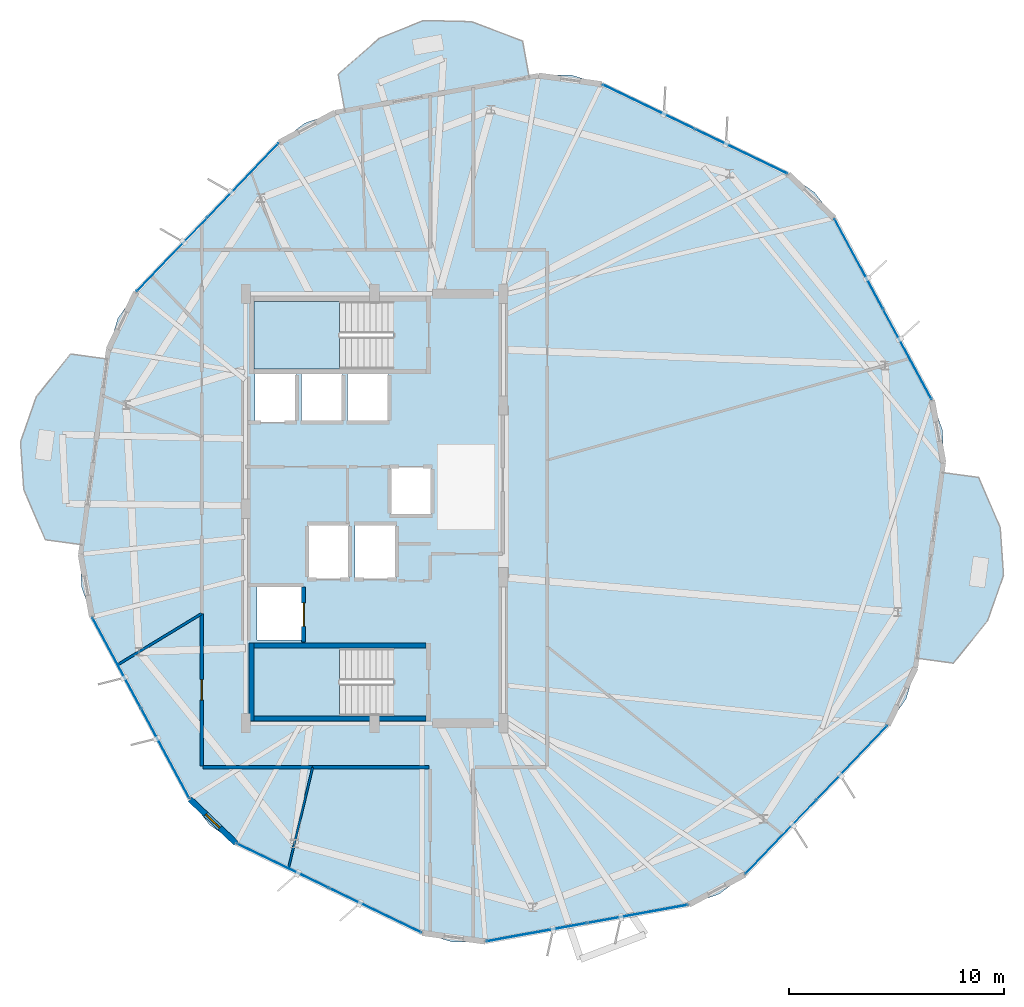
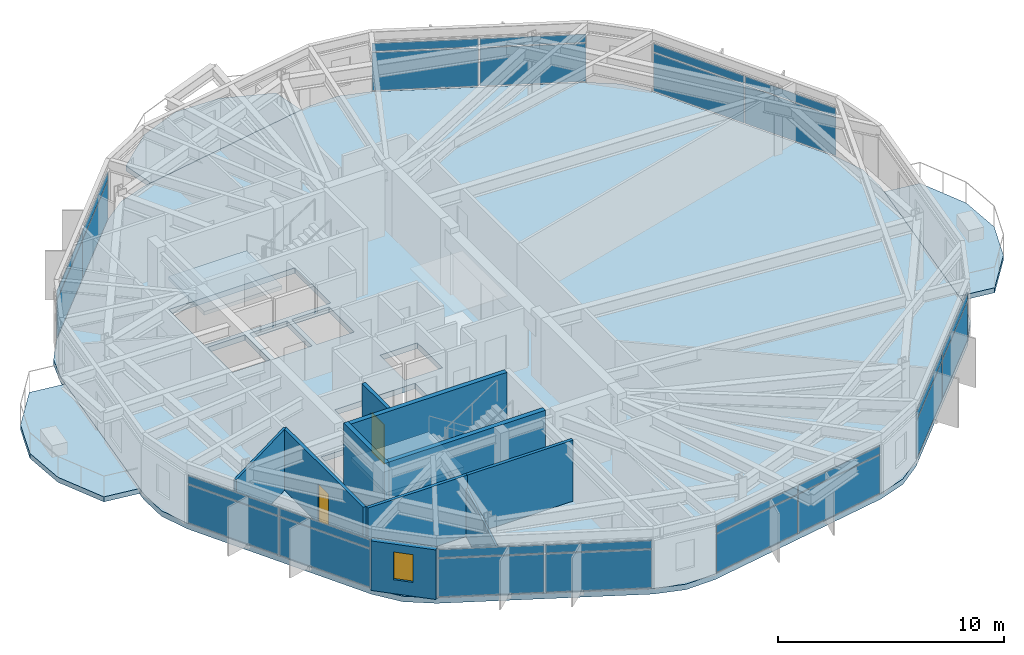
# One storey, part 21 of 27: 28 plates, 10 walls, 6 slabs, 2 doors, 1 window, 3 openings, 9 elements without a shape of their own.
"""IFC4 building model written with IfcOpenShell, lengths in metres."""

from ifc_helpers import new_model, si_unit, direction, frame, frame_2d, origin, origin_2d, place, context, subcontext, project, spatial, polyline, rectangle, outline, extrude, material, layer, layer_set, type_object, element, fill, aggregate, save


model = new_model("IFC4")

# Units and contexts
model_context = context("Model", 3, precision=1e-05, world=origin(), true_north=direction((0.0, 1.0)))
body_context = subcontext(model_context, "Body", "Model", "MODEL_VIEW")
ifc_project = project(units=[si_unit("LENGTHUNIT", "METRE"), si_unit("AREAUNIT", "SQUARE_METRE"), si_unit("VOLUMEUNIT", "CUBIC_METRE"), si_unit("PLANEANGLEUNIT", "RADIAN"), si_unit("MASSUNIT", "GRAM", prefix="KILO")], contexts=[model_context])

# Site, building, storey
site_placement = place(None, origin())
site = spatial("IfcSite", under=ifc_project, at=site_placement, CompositionType="ELEMENT")
building_placement = place(site_placement, origin())
building = spatial("IfcBuilding", under=site, at=building_placement, Name="Soratama Intermodal Tower", CompositionType="ELEMENT")
storey_placement = place(building_placement, frame((0.0, 0.0, 208.60009765625)))
storey = spatial("IfcBuildingStorey", under=building, at=storey_placement, Name="L52", CompositionType="ELEMENT", Elevation=208.60009765625)

# Curtain wall, plates
ifc_material_1 = material(Name="Double-glazed aluminium curtain wall", Category="aluminium")
ifc_layer_1 = layer(ifc_material_1, 0.159912109375)
ifc_layer_set_1 = layer_set([ifc_layer_1], Name="Double-glazed aluminium curtain wall")
curtain_wall_type = type_object("IfcCurtainWallType", Name="CW-SYS-5", PredefinedType="NOTDEFINED", material=ifc_layer_set_1)
curtain_wall_1_placement = place(storey_placement, origin())
curtain_wall_1 = element("IfcCurtainWall", 1, at=curtain_wall_1_placement, inside=storey, type_object=curtain_wall_type, Name="L52 Faceted Curtain Wall F01", PredefinedType="NOTDEFINED")
ifc_material_2 = material(Name="Low-E laminated double glazing", Category="glass")
ifc_layer_2 = layer(ifc_material_2, 0.02001953125)
ifc_layer_set_2 = layer_set([ifc_layer_2], Name="Low-E laminated double glazing")
plate_type = type_object("IfcPlateType", Name="PT-CWP-5", PredefinedType="CURTAIN_PANEL", material=ifc_layer_set_2)
plate_1_placement = place(storey_placement, frame((55.670166015625, 41.625732421875, 0.059814453125), z_axis=(0.0, 0.0, 1.0), x_axis=(-0.900774560798, 0.434286991077, 0.0)))
plate_1 = element("IfcPlate", 2, at=plate_1_placement, type_object=plate_type, Name="CW-5 panel 1.1", PredefinedType="CURTAIN_PANEL", context=body_context, shape_type="SweptSolid", body=[
    extrude(rectangle(XDim=4.721923828125, YDim=0.028076171875, at=origin_2d()), origin(), (0.0, 0.0, 1.0), 2.06005859375),
])
plate_2_placement = place(storey_placement, frame((55.670166015625, 41.625732421875, 2.179931640625), z_axis=(0.0, 0.0, 1.0), x_axis=(-0.900774560798, 0.434286991077, 0.0)))
plate_2 = element("IfcPlate", 3, at=plate_2_placement, type_object=plate_type, Name="CW-5 panel 1.2", PredefinedType="CURTAIN_PANEL", context=body_context, shape_type="SweptSolid", body=[
    extrude(rectangle(XDim=4.721923828125, YDim=0.028076171875, at=origin_2d()), origin(), (0.0, 0.0, 1.0), 0.43896484375),
])
plate_3_placement = place(storey_placement, frame((51.362548828125, 43.702392578125, 0.059814453125), z_axis=(0.0, 0.0, 1.0), x_axis=(-0.900774560798, 0.434286991077, 0.0)))
plate_3 = element("IfcPlate", 4, at=plate_3_placement, type_object=plate_type, Name="CW-5 panel 2.1", PredefinedType="CURTAIN_PANEL", context=body_context, shape_type="SweptSolid", body=[
    extrude(rectangle(XDim=4.721923828125, YDim=0.028076171875, at=origin_2d()), origin(), (0.0, 0.0, 1.0), 2.06005859375),
])
plate_4_placement = place(storey_placement, frame((51.362548828125, 43.702392578125, 2.179931640625), z_axis=(0.0, 0.0, 1.0), x_axis=(-0.900774560798, 0.434286991077, 0.0)))
plate_4 = element("IfcPlate", 5, at=plate_4_placement, type_object=plate_type, Name="CW-5 panel 2.2", PredefinedType="CURTAIN_PANEL", context=body_context, shape_type="SweptSolid", body=[
    extrude(rectangle(XDim=4.721923828125, YDim=0.028076171875, at=origin_2d()), origin(), (0.0, 0.0, 1.0), 0.43896484375),
])
aggregate(curtain_wall_1, [plate_1, plate_2, plate_3, plate_4])

curtain_wall_2_placement = place(storey_placement, origin())
curtain_wall_2 = element("IfcCurtainWall", 6, at=curtain_wall_2_placement, inside=storey, type_object=curtain_wall_type, Name="L52 Faceted Curtain Wall F03", PredefinedType="NOTDEFINED")
plate_5_placement = place(storey_placement, frame((32.485107421875, 40.28564453125, 0.059814453125), z_axis=(0.0, 0.0, 1.0), x_axis=(-0.691386353549, -0.72248523177, 0.0)))
plate_5 = element("IfcPlate", 7, at=plate_5_placement, type_object=plate_type, Name="CW-5 panel 1.1", PredefinedType="CURTAIN_PANEL", context=body_context, shape_type="SweptSolid", body=[
    extrude(rectangle(XDim=4.72216796875, YDim=0.028076171875, at=origin_2d()), origin(), (0.0, 0.0, 1.0), 2.06005859375),
])
plate_6_placement = place(storey_placement, frame((32.485107421875, 40.28564453125, 2.179931640625), z_axis=(0.0, 0.0, 1.0), x_axis=(-0.691386353549, -0.72248523177, 0.0)))
plate_6 = element("IfcPlate", 8, at=plate_6_placement, type_object=plate_type, Name="CW-5 panel 1.2", PredefinedType="CURTAIN_PANEL", context=body_context, shape_type="SweptSolid", body=[
    extrude(rectangle(XDim=4.72216796875, YDim=0.028076171875, at=origin_2d()), origin(), (0.0, 0.0, 1.0), 0.43896484375),
])
plate_7_placement = place(storey_placement, frame((29.178955078125, 36.83056640625, 0.059814453125), z_axis=(0.0, 0.0, 1.0), x_axis=(-0.691386353549, -0.72248523177, 0.0)))
plate_7 = element("IfcPlate", 9, at=plate_7_placement, type_object=plate_type, Name="CW-5 panel 2.1", PredefinedType="CURTAIN_PANEL", context=body_context, shape_type="SweptSolid", body=[
    extrude(rectangle(XDim=4.72216796875, YDim=0.028076171875, at=origin_2d()), origin(), (0.0, 0.0, 1.0), 2.06005859375),
])
plate_8_placement = place(storey_placement, frame((29.178955078125, 36.83056640625, 2.179931640625), z_axis=(0.0, 0.0, 1.0), x_axis=(-0.691386353549, -0.72248523177, 0.0)))
plate_8 = element("IfcPlate", 10, at=plate_8_placement, type_object=plate_type, Name="CW-5 panel 2.2", PredefinedType="CURTAIN_PANEL", context=body_context, shape_type="SweptSolid", body=[
    extrude(rectangle(XDim=4.72216796875, YDim=0.028076171875, at=origin_2d()), origin(), (0.0, 0.0, 1.0), 0.43896484375),
])
aggregate(curtain_wall_2, [plate_5, plate_6, plate_7, plate_8])

curtain_wall_3_placement = place(storey_placement, origin())
curtain_wall_3 = element("IfcCurtainWall", 11, at=curtain_wall_3_placement, inside=storey, type_object=curtain_wall_type, Name="L52 Faceted Curtain Wall F05", PredefinedType="NOTDEFINED")
plate_9_placement = place(storey_placement, frame((26.59521484375, 17.8212890625, 0.059814453125), z_axis=(0.0, 0.0, 1.0), x_axis=(0.473476366833, -0.880806522484, 0.0)))
plate_9 = element("IfcPlate", 12, at=plate_9_placement, type_object=plate_type, Name="CW-5 panel 1.1", PredefinedType="CURTAIN_PANEL", context=body_context, shape_type="SweptSolid", body=[
    extrude(rectangle(XDim=4.72216796875, YDim=0.028076171875, at=origin_2d()), origin(), (0.0, 0.0, 1.0), 2.06005859375),
])
plate_10_placement = place(storey_placement, frame((26.59521484375, 17.8212890625, 2.179931640625), z_axis=(0.0, 0.0, 1.0), x_axis=(0.473476366833, -0.880806522484, 0.0)))
plate_10 = element("IfcPlate", 13, at=plate_10_placement, type_object=plate_type, Name="CW-5 panel 1.2", PredefinedType="CURTAIN_PANEL", context=body_context, shape_type="SweptSolid", body=[
    extrude(rectangle(XDim=4.72216796875, YDim=0.028076171875, at=origin_2d()), origin(), (0.0, 0.0, 1.0), 0.43896484375),
])
plate_11_placement = place(storey_placement, frame((28.859619140625, 13.609130859375, 0.059814453125), z_axis=(0.0, 0.0, 1.0), x_axis=(0.473476366833, -0.880806522484, 0.0)))
plate_11 = element("IfcPlate", 14, at=plate_11_placement, type_object=plate_type, Name="CW-5 panel 2.1", PredefinedType="CURTAIN_PANEL", context=body_context, shape_type="SweptSolid", body=[
    extrude(rectangle(XDim=4.72216796875, YDim=0.028076171875, at=origin_2d()), origin(), (0.0, 0.0, 1.0), 2.06005859375),
])
plate_12_placement = place(storey_placement, frame((28.859619140625, 13.609130859375, 2.179931640625), z_axis=(0.0, 0.0, 1.0), x_axis=(0.473476366833, -0.880806522484, 0.0)))
plate_12 = element("IfcPlate", 15, at=plate_12_placement, type_object=plate_type, Name="CW-5 panel 2.2", PredefinedType="CURTAIN_PANEL", context=body_context, shape_type="SweptSolid", body=[
    extrude(rectangle(XDim=4.72216796875, YDim=0.028076171875, at=origin_2d()), origin(), (0.0, 0.0, 1.0), 0.43896484375),
])
aggregate(curtain_wall_3, [plate_9, plate_10, plate_11, plate_12])

curtain_wall_4_placement = place(storey_placement, origin())
curtain_wall_4 = element("IfcCurtainWall", 16, at=curtain_wall_4_placement, inside=storey, type_object=curtain_wall_type, Name="L52 Faceted Curtain Wall F06", PredefinedType="NOTDEFINED")
plate_13_placement = place(storey_placement, frame((34.329833984375, 8.374267578125, 0.059814453125), z_axis=(0.0, 0.0, 1.0), x_axis=(0.900774560798, -0.434286991077, 0.0)))
plate_13 = element("IfcPlate", 17, at=plate_13_placement, type_object=plate_type, Name="CW-5 panel 1.1", PredefinedType="CURTAIN_PANEL", context=body_context, shape_type="SweptSolid", body=[
    extrude(rectangle(XDim=4.721923828125, YDim=0.028076171875, at=origin_2d()), origin(), (0.0, 0.0, 1.0), 2.06005859375),
])
plate_14_placement = place(storey_placement, frame((34.329833984375, 8.374267578125, 2.179931640625), z_axis=(0.0, 0.0, 1.0), x_axis=(0.900774560798, -0.434286991077, 0.0)))
plate_14 = element("IfcPlate", 18, at=plate_14_placement, type_object=plate_type, Name="CW-5 panel 1.2", PredefinedType="CURTAIN_PANEL", context=body_context, shape_type="SweptSolid", body=[
    extrude(rectangle(XDim=4.721923828125, YDim=0.028076171875, at=origin_2d()), origin(), (0.0, 0.0, 1.0), 0.43896484375),
])
plate_15_placement = place(storey_placement, frame((38.637451171875, 6.297607421875, 0.059814453125), z_axis=(0.0, 0.0, 1.0), x_axis=(0.900774560798, -0.434286991077, 0.0)))
plate_15 = element("IfcPlate", 19, at=plate_15_placement, type_object=plate_type, Name="CW-5 panel 2.1", PredefinedType="CURTAIN_PANEL", context=body_context, shape_type="SweptSolid", body=[
    extrude(rectangle(XDim=4.721923828125, YDim=0.028076171875, at=origin_2d()), origin(), (0.0, 0.0, 1.0), 2.06005859375),
])
plate_16_placement = place(storey_placement, frame((38.637451171875, 6.297607421875, 2.179931640625), z_axis=(0.0, 0.0, 1.0), x_axis=(0.900774560798, -0.434286991077, 0.0)))
plate_16 = element("IfcPlate", 20, at=plate_16_placement, type_object=plate_type, Name="CW-5 panel 2.2", PredefinedType="CURTAIN_PANEL", context=body_context, shape_type="SweptSolid", body=[
    extrude(rectangle(XDim=4.721923828125, YDim=0.028076171875, at=origin_2d()), origin(), (0.0, 0.0, 1.0), 0.43896484375),
])
aggregate(curtain_wall_4, [plate_13, plate_14, plate_15, plate_16])

curtain_wall_5_placement = place(storey_placement, origin())
curtain_wall_5 = element("IfcCurtainWall", 21, at=curtain_wall_5_placement, inside=storey, type_object=curtain_wall_type, Name="L52 Faceted Curtain Wall F07", PredefinedType="NOTDEFINED")
plate_17_placement = place(storey_placement, frame((46.139892578125, 5.27783203125, 0.059814453125), z_axis=(0.0, 0.0, 1.0), x_axis=(0.984009590887, 0.178115482323, 0.0)))
plate_17 = element("IfcPlate", 22, at=plate_17_placement, type_object=plate_type, Name="CW-5 panel 1.1", PredefinedType="CURTAIN_PANEL", context=body_context, shape_type="SweptSolid", body=[
    extrude(rectangle(XDim=4.72216796875, YDim=0.028076171875, at=origin_2d()), origin(), (0.0, 0.0, 1.0), 2.06005859375),
])
plate_18_placement = place(storey_placement, frame((46.139892578125, 5.27783203125, 2.179931640625), z_axis=(0.0, 0.0, 1.0), x_axis=(0.984009590887, 0.178115482323, 0.0)))
plate_18 = element("IfcPlate", 23, at=plate_18_placement, type_object=plate_type, Name="CW-5 panel 1.2", PredefinedType="CURTAIN_PANEL", context=body_context, shape_type="SweptSolid", body=[
    extrude(rectangle(XDim=4.72216796875, YDim=0.028076171875, at=origin_2d()), origin(), (0.0, 0.0, 1.0), 0.43896484375),
])
plate_19_placement = place(storey_placement, frame((50.845703125, 6.12939453125, 0.059814453125), z_axis=(0.0, 0.0, 1.0), x_axis=(0.984009590887, 0.178115482323, 0.0)))
plate_19 = element("IfcPlate", 24, at=plate_19_placement, type_object=plate_type, Name="CW-5 panel 2.1", PredefinedType="CURTAIN_PANEL", context=body_context, shape_type="SweptSolid", body=[
    extrude(rectangle(XDim=4.72216796875, YDim=0.028076171875, at=origin_2d()), origin(), (0.0, 0.0, 1.0), 2.06005859375),
])
plate_20_placement = place(storey_placement, frame((50.845703125, 6.12939453125, 2.179931640625), z_axis=(0.0, 0.0, 1.0), x_axis=(0.984009590887, 0.178115482323, 0.0)))
plate_20 = element("IfcPlate", 25, at=plate_20_placement, type_object=plate_type, Name="CW-5 panel 2.2", PredefinedType="CURTAIN_PANEL", context=body_context, shape_type="SweptSolid", body=[
    extrude(rectangle(XDim=4.72216796875, YDim=0.028076171875, at=origin_2d()), origin(), (0.0, 0.0, 1.0), 0.43896484375),
])
aggregate(curtain_wall_5, [plate_17, plate_18, plate_19, plate_20])

curtain_wall_6_placement = place(storey_placement, origin())
curtain_wall_6 = element("IfcCurtainWall", 26, at=curtain_wall_6_placement, inside=storey, type_object=curtain_wall_type, Name="L52 Faceted Curtain Wall F08", PredefinedType="NOTDEFINED")
plate_21_placement = place(storey_placement, frame((57.514892578125, 9.71435546875, 0.059814453125), z_axis=(0.0, 0.0, 1.0), x_axis=(0.691386353549, 0.72248523177, 0.0)))
plate_21 = element("IfcPlate", 27, at=plate_21_placement, type_object=plate_type, Name="CW-5 panel 1.1", PredefinedType="CURTAIN_PANEL", context=body_context, shape_type="SweptSolid", body=[
    extrude(rectangle(XDim=4.72216796875, YDim=0.028076171875, at=origin_2d()), origin(), (0.0, 0.0, 1.0), 2.06005859375),
])
plate_22_placement = place(storey_placement, frame((57.514892578125, 9.71435546875, 2.179931640625), z_axis=(0.0, 0.0, 1.0), x_axis=(0.691386353549, 0.72248523177, 0.0)))
plate_22 = element("IfcPlate", 28, at=plate_22_placement, type_object=plate_type, Name="CW-5 panel 1.2", PredefinedType="CURTAIN_PANEL", context=body_context, shape_type="SweptSolid", body=[
    extrude(rectangle(XDim=4.72216796875, YDim=0.028076171875, at=origin_2d()), origin(), (0.0, 0.0, 1.0), 0.43896484375),
])
plate_23_placement = place(storey_placement, frame((60.821044921875, 13.16943359375, 0.059814453125), z_axis=(0.0, 0.0, 1.0), x_axis=(0.691386353549, 0.72248523177, 0.0)))
plate_23 = element("IfcPlate", 29, at=plate_23_placement, type_object=plate_type, Name="CW-5 panel 2.1", PredefinedType="CURTAIN_PANEL", context=body_context, shape_type="SweptSolid", body=[
    extrude(rectangle(XDim=4.72216796875, YDim=0.028076171875, at=origin_2d()), origin(), (0.0, 0.0, 1.0), 2.06005859375),
])
plate_24_placement = place(storey_placement, frame((60.821044921875, 13.16943359375, 2.179931640625), z_axis=(0.0, 0.0, 1.0), x_axis=(0.691386353549, 0.72248523177, 0.0)))
plate_24 = element("IfcPlate", 30, at=plate_24_placement, type_object=plate_type, Name="CW-5 panel 2.2", PredefinedType="CURTAIN_PANEL", context=body_context, shape_type="SweptSolid", body=[
    extrude(rectangle(XDim=4.72216796875, YDim=0.028076171875, at=origin_2d()), origin(), (0.0, 0.0, 1.0), 0.43896484375),
])
aggregate(curtain_wall_6, [plate_21, plate_22, plate_23, plate_24])

curtain_wall_7_placement = place(storey_placement, origin())
curtain_wall_7 = element("IfcCurtainWall", 31, at=curtain_wall_7_placement, inside=storey, type_object=curtain_wall_type, Name="L52 Faceted Curtain Wall F10", PredefinedType="NOTDEFINED")
plate_25_placement = place(storey_placement, frame((63.40478515625, 32.1787109375, 0.059814453125), z_axis=(0.0, 0.0, 1.0), x_axis=(-0.473476366833, 0.880806522484, 0.0)))
plate_25 = element("IfcPlate", 32, at=plate_25_placement, type_object=plate_type, Name="CW-5 panel 1.1", PredefinedType="CURTAIN_PANEL", context=body_context, shape_type="SweptSolid", body=[
    extrude(rectangle(XDim=4.72216796875, YDim=0.028076171875, at=origin_2d()), origin(), (0.0, 0.0, 1.0), 2.06005859375),
])
plate_26_placement = place(storey_placement, frame((63.40478515625, 32.1787109375, 2.179931640625), z_axis=(0.0, 0.0, 1.0), x_axis=(-0.473476366833, 0.880806522484, 0.0)))
plate_26 = element("IfcPlate", 33, at=plate_26_placement, type_object=plate_type, Name="CW-5 panel 1.2", PredefinedType="CURTAIN_PANEL", context=body_context, shape_type="SweptSolid", body=[
    extrude(rectangle(XDim=4.72216796875, YDim=0.028076171875, at=origin_2d()), origin(), (0.0, 0.0, 1.0), 0.43896484375),
])
plate_27_placement = place(storey_placement, frame((61.140380859375, 36.390869140625, 0.059814453125), z_axis=(0.0, 0.0, 1.0), x_axis=(-0.473476366833, 0.880806522484, 0.0)))
plate_27 = element("IfcPlate", 34, at=plate_27_placement, type_object=plate_type, Name="CW-5 panel 2.1", PredefinedType="CURTAIN_PANEL", context=body_context, shape_type="SweptSolid", body=[
    extrude(rectangle(XDim=4.72216796875, YDim=0.028076171875, at=origin_2d()), origin(), (0.0, 0.0, 1.0), 2.06005859375),
])
plate_28_placement = place(storey_placement, frame((61.140380859375, 36.390869140625, 2.179931640625), z_axis=(0.0, 0.0, 1.0), x_axis=(-0.473476366833, 0.880806522484, 0.0)))
plate_28 = element("IfcPlate", 35, at=plate_28_placement, type_object=plate_type, Name="CW-5 panel 2.2", PredefinedType="CURTAIN_PANEL", context=body_context, shape_type="SweptSolid", body=[
    extrude(rectangle(XDim=4.72216796875, YDim=0.028076171875, at=origin_2d()), origin(), (0.0, 0.0, 1.0), 0.43896484375),
])
aggregate(curtain_wall_7, [plate_25, plate_26, plate_27, plate_28])

# Slabs
ifc_material_3 = material(Name="Concrete f'c 42 MPa", Category="concrete")
ifc_layer_3 = layer(ifc_material_3, 0.27001953125)
ifc_layer_set_3 = layer_set([ifc_layer_3], Name="Concrete f'c 42 MPa")
slab_type_1 = type_object("IfcSlabType", Name="SL-EXT-BAL1", PredefinedType="FLOOR", material=ifc_layer_set_3)
slab_1_placement = place(storey_placement, frame((0.0, 0.0, -0.27001953125)))
element("IfcSlab", 36, at=slab_1_placement, inside=storey, type_object=slab_type_1, Name="L52 Planted Balcony East 1", PredefinedType="FLOOR", context=body_context, shape_type="SweptSolid", body=[
    extrude(outline(polyline([(63.84375, 18.03662109375), (65.018798828125, 26.681396484375), (66.722900390625, 26.44970703125), (67.728271484375, 24.112060546875), (67.87939453125, 21.890380859375), (67.140869140625, 19.789794921875), (65.548095703125, 17.80517578125), (63.84375, 18.03662109375)])), origin(), (0.0, 0.0, 1.0), 0.27001953125),
])
slab_2_placement = place(storey_placement, frame((0.0, 0.0, -0.27001953125)))
element("IfcSlab", 37, at=slab_2_placement, inside=storey, type_object=slab_type_1, Name="L52 Planted Balcony North 2", PredefinedType="FLOOR", context=body_context, shape_type="SweptSolid", body=[
    extrude(outline(polyline([(45.799560546875, 45.0732421875), (37.21484375, 43.51953125), (36.908447265625, 45.2119140625), (38.8212890625, 46.890380859375), (40.887451171875, 47.720703125), (43.113525390625, 47.667236328125), (45.4931640625, 46.765869140625), (45.799560546875, 45.0732421875)])), origin(), (0.0, 0.0, 1.0), 0.27001953125),
])
slab_3_placement = place(storey_placement, frame((0.0, 0.0, -0.27001953125)))
element("IfcSlab", 38, at=slab_3_placement, inside=storey, type_object=slab_type_1, Name="L52 Planted Balcony West 3", PredefinedType="FLOOR", context=body_context, shape_type="SweptSolid", body=[
    extrude(outline(polyline([(26.15625, 31.96337890625), (24.981201171875, 23.318603515625), (23.277099609375, 23.55029296875), (22.271728515625, 25.887939453125), (22.12060546875, 28.109619140625), (22.859130859375, 30.210205078125), (24.451904296875, 32.19482421875), (26.15625, 31.96337890625)])), origin(), (0.0, 0.0, 1.0), 0.27001953125),
])

# Stair, slab
ifc_material_4 = material(Name="Concrete f'c 42 MPa", Category="concrete")
stair_type = type_object("IfcStairType", Name="ST-CORE-DOGLEG", PredefinedType="HALF_TURN_STAIR", material=ifc_material_4)
stair_1_placement = place(storey_placement, origin())
stair_1 = element("IfcStair", 39, at=stair_1_placement, inside=storey, type_object=stair_type, Name="L52 ST-1", PredefinedType="HALF_TURN_STAIR")
ifc_material_5 = material(Name="Concrete f'c 42 MPa", Category="concrete")
ifc_layer_4 = layer(ifc_material_5, 0.219970703125)
ifc_layer_set_4 = layer_set([ifc_layer_4], Name="Concrete f'c 42 MPa")
slab_type_2 = type_object("IfcSlabType", Name="SL-STAIR-LAND", PredefinedType="LANDING", material=ifc_layer_set_4)
slab_4_placement = place(storey_placement, frame((0.0, 0.0, 1.599853515625)))
slab_4 = element("IfcSlab", 40, at=slab_4_placement, type_object=slab_type_2, Name="ST-1 landing 1", PredefinedType="LANDING", context=body_context, shape_type="SweptSolid", body=[
    extrude(outline(polyline([(36.97998046875, 18.5), (33.0, 18.5), (33.0, 15.35009765625), (36.97998046875, 15.35009765625), (36.97998046875, 18.5)])), origin(), (0.0, 0.0, 1.0), 0.199951171875),
])
aggregate(stair_1, [slab_4])

stair_2_placement = place(storey_placement, origin())
stair_2 = element("IfcStair", 41, at=stair_2_placement, inside=storey, type_object=stair_type, Name="L52 ST-2", PredefinedType="HALF_TURN_STAIR")
slab_5_placement = place(storey_placement, frame((0.0, 0.0, 1.599853515625)))
slab_5 = element("IfcSlab", 42, at=slab_5_placement, type_object=slab_type_2, Name="ST-2 landing 1", PredefinedType="LANDING", context=body_context, shape_type="SweptSolid", body=[
    extrude(outline(polyline([(36.97998046875, 34.64990234375), (33.0, 34.64990234375), (33.0, 31.5), (36.97998046875, 31.5), (36.97998046875, 34.64990234375)])), origin(), (0.0, 0.0, 1.0), 0.199951171875),
])
aggregate(stair_2, [slab_5])

# Slab
ifc_material_6 = material(Name="Concrete f'c 42 MPa", Category="concrete")
ifc_layer_5 = layer(ifc_material_6, 0.280029296875)
ifc_layer_set_5 = layer_set([ifc_layer_5], Name="Concrete f'c 42 MPa")
slab_type_3 = type_object("IfcSlabType", Name="SL-TWR-280", PredefinedType="FLOOR", material=ifc_layer_set_5)
slab_6_placement = place(storey_placement, frame((0.0, 0.0, -0.300048828125)))
element("IfcSlab", 43, at=slab_6_placement, inside=storey, type_object=slab_type_3, Name="L52 Structural Floor Slab", PredefinedType="FLOOR", context=body_context, shape_type="SweptSolid", body=[
    extrude(outline(polyline([(59.994140625, 38.523193359375), (59.0849609375, 39.718505859375), (57.850830078125, 40.57421875), (49.181884765625, 44.75390625), (47.74365234375, 45.1865234375), (46.2421875, 45.153564453125), (36.772216796875, 43.439208984375), (35.3544921875, 42.94384765625), (34.1591796875, 42.03466796875), (27.505126953125, 35.081298828125), (26.6494140625, 33.847412109375), (26.216796875, 32.4091796875), (24.920654296875, 22.872802734375), (24.95361328125, 21.371337890625), (25.448974609375, 19.95361328125), (30.005859375, 11.476806640625), (30.9150390625, 10.281494140625), (32.149169921875, 9.42578125), (40.818115234375, 5.24609375), (42.25634765625, 4.8134765625), (43.7578125, 4.846435546875), (53.227783203125, 6.560791015625), (54.6455078125, 7.05615234375), (55.8408203125, 7.96533203125), (62.494873046875, 14.918701171875), (63.3505859375, 16.152587890625), (63.783203125, 17.5908203125), (65.079345703125, 27.127197265625), (65.04638671875, 28.628662109375), (64.551025390625, 30.04638671875), (59.994140625, 38.523193359375)]), holes=[polyline([(33.0, 18.5), (33.0, 15.35009765625), (39.47509765625, 15.35009765625), (39.47509765625, 18.5), (33.0, 18.5)]), polyline([(35.260009765625, 21.409912109375), (33.139892578125, 21.409912109375), (33.139892578125, 18.889892578125), (35.260009765625, 18.889892578125), (35.260009765625, 21.409912109375)]), polyline([(37.409912109375, 24.260009765625), (35.489990234375, 24.260009765625), (35.489990234375, 21.739990234375), (37.409912109375, 21.739990234375), (37.409912109375, 24.260009765625)]), polyline([(39.610107421875, 24.260009765625), (37.68994140625, 24.260009765625), (37.68994140625, 21.739990234375), (39.610107421875, 21.739990234375), (39.610107421875, 24.260009765625)]), polyline([(41.260009765625, 26.909912109375), (39.340087890625, 26.909912109375), (39.340087890625, 24.68994140625), (41.260009765625, 24.68994140625), (41.260009765625, 26.909912109375)]), polyline([(34.9599609375, 31.260009765625), (33.0400390625, 31.260009765625), (33.0400390625, 29.0400390625), (34.9599609375, 29.0400390625), (34.9599609375, 31.260009765625)]), polyline([(37.110107421875, 31.260009765625), (35.18994140625, 31.260009765625), (35.18994140625, 29.0400390625), (37.110107421875, 29.0400390625), (37.110107421875, 31.260009765625)]), polyline([(39.260009765625, 29.0400390625), (39.260009765625, 31.260009765625), (37.340087890625, 31.260009765625), (37.340087890625, 29.0400390625), (39.260009765625, 29.0400390625)]), polyline([(39.47509765625, 34.64990234375), (33.0, 34.64990234375), (33.0, 31.5), (39.47509765625, 31.5), (39.47509765625, 34.64990234375)])]), origin(), (0.0, 0.0, 1.0), 0.300048828125),
])

# Wall, opening, window
ifc_material_7 = material(Name="Concrete f'c 42 MPa", Category="concrete")
ifc_layer_6 = layer(ifc_material_7, 0.27001953125)
ifc_layer_set_6 = layer_set([ifc_layer_6], Name="Concrete f'c 42 MPa")
wall_type_1 = type_object("IfcWallType", Name="EW-CRN-270", PredefinedType="SOLIDWALL", material=ifc_layer_set_6)
wall_1_placement = place(storey_placement, frame((30.005859375, 11.476806640625, 0.0), z_axis=(0.0, 0.0, 1.0), x_axis=(0.722489918311, -0.691381456172, 0.0)))
wall_1 = element("IfcWall", 44, at=wall_1_placement, inside=storey, type_object=wall_type_1, Name="L52 Corner Closure Wall 05", PredefinedType="SOLIDWALL", context=body_context, shape_type="SweptSolid", body=[
    extrude(rectangle(XDim=2.966552734375, YDim=0.27001953125, at=frame_2d((1.4833984375, 0.0))), origin(), (0.0, 0.0, 1.0), 2.678955078125),
])
opening_1_placement = place(wall_1_placement, frame((1.033203125, 0.0, 0.75)))
opening_1 = element("IfcOpeningElement", 45, at=opening_1_placement, cuts=wall_1, Name="Opening WN-6", PredefinedType="OPENING", context=body_context, shape_type="SweptSolid", body=[
    extrude(rectangle(XDim=0.89990234375, YDim=1.5, at=frame_2d((0.449951171875, 0.75))), frame((0.0, 0.14501953125, 0.0), z_axis=(0.0, -1.0, 0.0), x_axis=(1.0, 0.0, 0.0)), (0.0, 0.0, 1.0), 0.2900390625),
])
ifc_material_8 = material(Name="Double-glazed aluminium window", Category="aluminium")
window_type = type_object("IfcWindowType", Name="WN-FAC-900", PartitioningType="SINGLE_PANEL", PredefinedType="WINDOW", material=ifc_material_8)
window_placement = place(opening_1_placement, origin())
window = element("IfcWindow", 46, at=window_placement, inside=storey, type_object=window_type, Name="L52 Corner Window 05", OverallHeight=1.5, OverallWidth=0.89990234375, PartitioningType="SINGLE_PANEL", PredefinedType="WINDOW", context=body_context, shape_type="SweptSolid", body=[
    extrude(rectangle(XDim=0.89990234375, YDim=1.5, at=frame_2d((0.449951171875, 0.75))), frame((0.0, 0.030029296875, 0.0), z_axis=(0.0, -1.0, 0.0), x_axis=(1.0, 0.0, 0.0)), (0.0, 0.0, 1.0), 0.06005859375),
])
fill(opening_1, window)

# Wall, opening, door
ifc_material_9 = material(Name="Fire-rated gypsum stud partition", Category="concrete")
ifc_layer_7 = layer(ifc_material_9, 0.159912109375)
ifc_layer_set_7 = layer_set([ifc_layer_7], Name="Fire-rated gypsum stud partition")
wall_type_2 = type_object("IfcWallType", Name="IW-PART-R160", PredefinedType="PARTITIONING", material=ifc_layer_set_7)
wall_2_placement = place(storey_placement, frame((30.550048828125, 13.02001953125, 0.0), z_axis=(0.0, 0.0, 1.0), x_axis=(0.0, 1.0, 0.0)))
wall_2 = element("IfcWall", 47, at=wall_2_placement, inside=storey, type_object=wall_type_2, Name="L52 Partition W-L52-TP010", PredefinedType="PARTITIONING", context=body_context, shape_type="SweptSolid", body=[
    extrude(rectangle(XDim=7.0859375, YDim=0.159912109375, at=frame_2d((3.54296875, 0.0))), origin(), (0.0, 0.0, 1.0), 3.2998046875),
])
opening_2_placement = place(wall_2_placement, frame((3.068115234375, 0.0, 0.0)))
opening_2 = element("IfcOpeningElement", 48, at=opening_2_placement, cuts=wall_2, Name="Opening ID-3", PredefinedType="OPENING", context=body_context, shape_type="SweptSolid", body=[
    extrude(rectangle(XDim=0.949951171875, YDim=2.14990234375, at=frame_2d((0.47509765625, 1.074951171875))), frame((0.0, 0.08984375, 0.0), z_axis=(0.0, -1.0, 0.0), x_axis=(1.0, 0.0, 0.0)), (0.0, 0.0, 1.0), 0.179931640625),
])
ifc_material_10 = material(Name="Solid hardwood acoustic door", Category="wood")
door_type_1 = type_object("IfcDoorType", Name="DR-ROOM-950", OperationType="NOTDEFINED", PredefinedType="DOOR", material=ifc_material_10)
door_1_placement = place(opening_2_placement, origin())
door_1 = element("IfcDoor", 49, at=door_1_placement, inside=storey, type_object=door_type_1, Name="L52 Door D-L52-TP007", OperationType="SINGLE_SWING_RIGHT", OverallHeight=2.14990234375, OverallWidth=0.949951171875, PredefinedType="DOOR", context=body_context, shape_type="SweptSolid", body=[
    extrude(rectangle(XDim=0.949951171875, YDim=2.14990234375, at=frame_2d((0.47509765625, 1.074951171875))), frame((0.0, 0.02490234375, 0.0), z_axis=(0.0, -1.0, 0.0), x_axis=(1.0, 0.0, 0.0)), (0.0, 0.0, 1.0), 0.050048828125),
])
fill(opening_2, door_1)

# Walls
wall_3_placement = place(storey_placement, frame((41.1298828125, 12.949951171875, 0.0), z_axis=(0.0, 0.0, 1.0), x_axis=(-1.0, 0.0, 0.0)))
element("IfcWall", 50, at=wall_3_placement, inside=storey, type_object=wall_type_2, Name="L52 Partition W-L52-TP014", PredefinedType="PARTITIONING", context=body_context, shape_type="SweptSolid", body=[
    extrude(rectangle(XDim=5.410888671875, YDim=0.159912109375, at=frame_2d((2.70556640625, 0.0))), origin(), (0.0, 0.0, 1.0), 3.2998046875),
])
wall_4_placement = place(storey_placement, frame((35.718994140625, 12.949951171875, 0.0), z_axis=(0.0, 0.0, 1.0), x_axis=(-1.0, 0.0, 0.0)))
element("IfcWall", 51, at=wall_4_placement, inside=storey, type_object=wall_type_2, Name="L52 Partition W-L52-TP015", PredefinedType="PARTITIONING", context=body_context, shape_type="SweptSolid", body=[
    extrude(rectangle(XDim=5.098876953125, YDim=0.159912109375, at=frame_2d((2.54931640625, 0.0))), origin(), (0.0, 0.0, 1.0), 3.2998046875),
])
ifc_material_11 = material(Name="Fire-rated gypsum stud partition", Category="concrete")
ifc_layer_8 = layer(ifc_material_11, 0.10009765625)
ifc_layer_set_8 = layer_set([ifc_layer_8], Name="Fire-rated gypsum stud partition")
wall_type_3 = type_object("IfcWallType", Name="IW-PART-S100", PredefinedType="PARTITIONING", material=ifc_layer_set_8)
wall_5_placement = place(storey_placement, frame((35.718994140625, 12.949951171875, 0.0), z_axis=(0.0, 0.0, 1.0), x_axis=(-0.232842087614, -0.97251455631, 0.0)))
element("IfcWall", 52, at=wall_5_placement, inside=storey, type_object=wall_type_3, Name="L52 Partition W-L52-TP019", PredefinedType="PARTITIONING", context=body_context, shape_type="SweptSolid", body=[
    extrude(rectangle(XDim=4.835693359375, YDim=0.10009765625, at=frame_2d((2.41796875, 0.0))), origin(), (0.0, 0.0, 1.0), 2.594970703125),
])
ifc_material_12 = material(Name="Fire-rated gypsum stud partition", Category="concrete")
ifc_layer_9 = layer(ifc_material_12, 0.1201171875)
ifc_layer_set_9 = layer_set([ifc_layer_9], Name="Fire-rated gypsum stud partition")
wall_type_4 = type_object("IfcWallType", Name="IW-PART-S120", PredefinedType="PARTITIONING", material=ifc_layer_set_9)
wall_6_placement = place(storey_placement, frame((30.550048828125, 20.10595703125, 0.0), z_axis=(0.0, 0.0, 1.0), x_axis=(-0.854448030562, -0.519536873637, 0.0)))
element("IfcWall", 53, at=wall_6_placement, inside=storey, type_object=wall_type_4, Name="L52 Partition W-L52-TP022", PredefinedType="PARTITIONING", context=body_context, shape_type="SweptSolid", body=[
    extrude(rectangle(XDim=4.5712890625, YDim=0.1201171875, at=frame_2d((2.28564453125, 0.0))), origin(), (0.0, 0.0, 1.0), 3.2998046875),
])

# Wall, opening, door
ifc_material_13 = material(Name="Concrete f'c 42 MPa", Category="concrete")
ifc_layer_10 = layer(ifc_material_13, 0.18505859375)
ifc_layer_set_10 = layer_set([ifc_layer_10], Name="Concrete f'c 42 MPa")
wall_type_5 = type_object("IfcWallType", Name="IW-SHAFT-185", PredefinedType="SOLIDWALL", material=ifc_layer_set_10)
wall_7_placement = place(storey_placement, frame((35.300048828125, 18.7900390625, 0.0), z_axis=(0.0, 0.0, 1.0), x_axis=(0.0, 1.0, 0.0)))
wall_7 = element("IfcWall", 54, at=wall_7_placement, inside=storey, type_object=wall_type_5, Name="L52 SVL-1 Hoistway Wall E", PredefinedType="SOLIDWALL", context=body_context, shape_type="SweptSolid", body=[
    extrude(rectangle(XDim=2.550048828125, YDim=0.18505859375, at=frame_2d((1.27490234375, 0.0))), origin(), (0.0, 0.0, 1.0), 3.2998046875),
])
opening_3_placement = place(wall_7_placement, frame((0.72509765625, 0.0, 0.0)))
opening_3 = element("IfcOpeningElement", 55, at=opening_3_placement, cuts=wall_7, Name="Opening LD-1", PredefinedType="OPENING", context=body_context, shape_type="SweptSolid", body=[
    extrude(rectangle(XDim=1.10009765625, YDim=2.14990234375, at=frame_2d((0.550048828125, 1.074951171875))), frame((0.0, 0.1025390625, 0.0), z_axis=(0.0, -1.0, 0.0), x_axis=(1.0, 0.0, 0.0)), (0.0, 0.0, 1.0), 0.205078125),
])
ifc_material_14 = material(Name="Steel fire door", Category="steel")
door_type_2 = type_object("IfcDoorType", Name="DR-LIFT-SLIDE", OperationType="NOTDEFINED", PredefinedType="DOOR", material=ifc_material_14)
door_2_placement = place(opening_3_placement, origin())
door_2 = element("IfcDoor", 56, at=door_2_placement, inside=storey, type_object=door_type_2, Name="L52 SVL-1 Sliding Landing Door", OperationType="SLIDING_TO_LEFT", OverallHeight=2.14990234375, OverallWidth=1.10009765625, PredefinedType="DOOR", context=body_context, shape_type="SweptSolid", body=[
    extrude(rectangle(XDim=1.10009765625, YDim=2.14990234375, at=frame_2d((0.550048828125, 1.074951171875))), frame((0.0, 0.02490234375, 0.0), z_axis=(0.0, -1.0, 0.0), x_axis=(1.0, 0.0, 0.0)), (0.0, 0.0, 1.0), 0.050048828125),
])
fill(opening_3, door_2)

# Walls
ifc_material_15 = material(Name="Concrete f'c 56 MPa", Category="concrete")
ifc_layer_11 = layer(ifc_material_15, 0.239990234375)
ifc_layer_set_11 = layer_set([ifc_layer_11], Name="Concrete f'c 56 MPa")
wall_type_6 = type_object("IfcWallType", Name="SW-STAIR-240", PredefinedType="SHEAR", material=ifc_layer_set_11)
wall_8_placement = place(storey_placement, frame((32.8798828125, 15.110107421875, 0.0), z_axis=(0.0, 0.0, 1.0), x_axis=(0.0, 1.0, 0.0)))
element("IfcWall", 57, at=wall_8_placement, inside=storey, type_object=wall_type_6, Name="L52 ST-1 Shaft Shear Wall W", PredefinedType="SHEAR", context=body_context, shape_type="SweptSolid", body=[
    extrude(rectangle(XDim=3.6298828125, YDim=0.239990234375, at=frame_2d((1.81494140625, 0.0))), origin(), (0.0, 0.0, 1.0), 3.599853515625),
])
for number, where, z_axis, x_axis, name in (
    (58, (33.0, 15.22998046875, 0.0), (0.0, 0.0, 1.0), (1.0, 0.0, 0.0), "L52 ST-1 Shaft Shear Wall S"),
    (59, (33.0, 18.6201171875, 0.0), (0.0, 0.0, 1.0), (1.0, 0.0, 0.0), "L52 ST-1 Shaft Shear Wall N"),
):
    element("IfcWall", number, at=place(storey_placement, frame(where, z_axis=z_axis, x_axis=x_axis)), inside=storey, type_object=wall_type_6, Name=name, PredefinedType="SHEAR", context=body_context, shape_type="SweptSolid", body=[
        extrude(rectangle(XDim=8.0, YDim=0.239990234375, at=frame_2d((4.0, 0.0))), origin(), (0.0, 0.0, 1.0), 3.599853515625),
    ])

save(model, "model.ifc")
